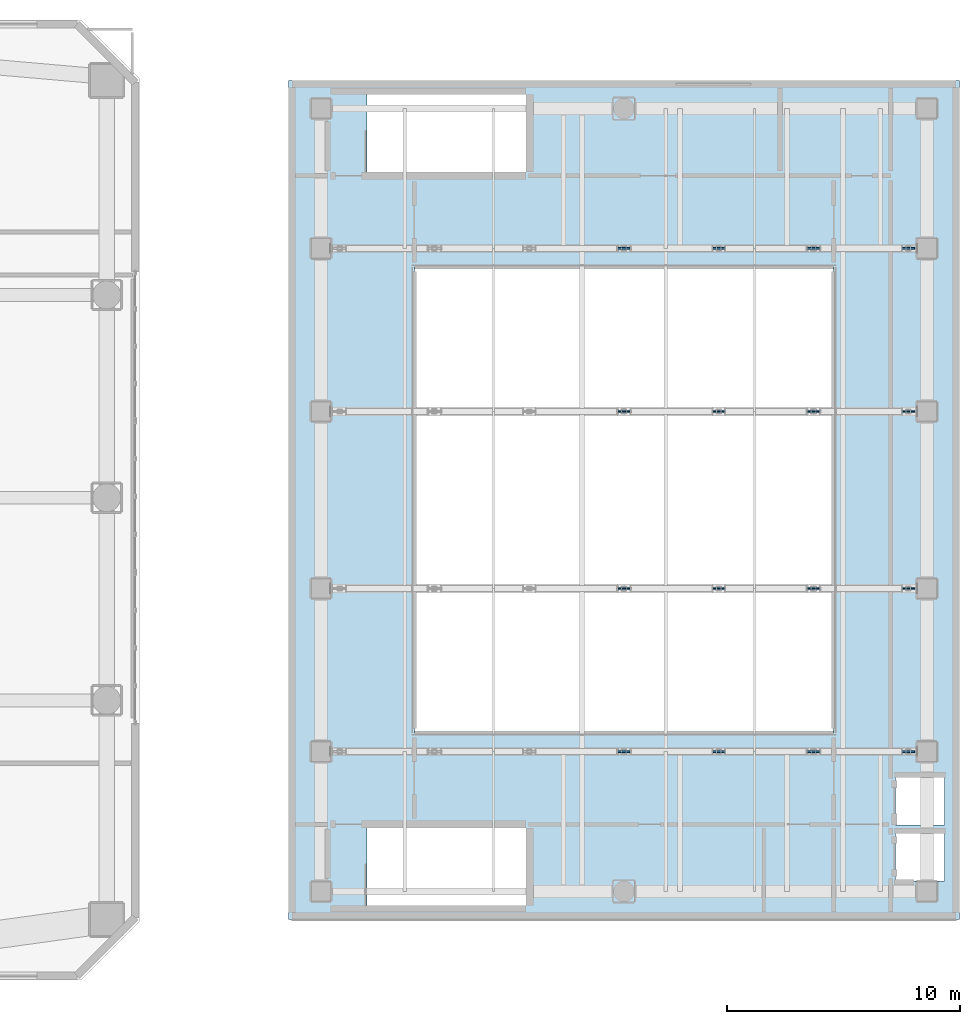
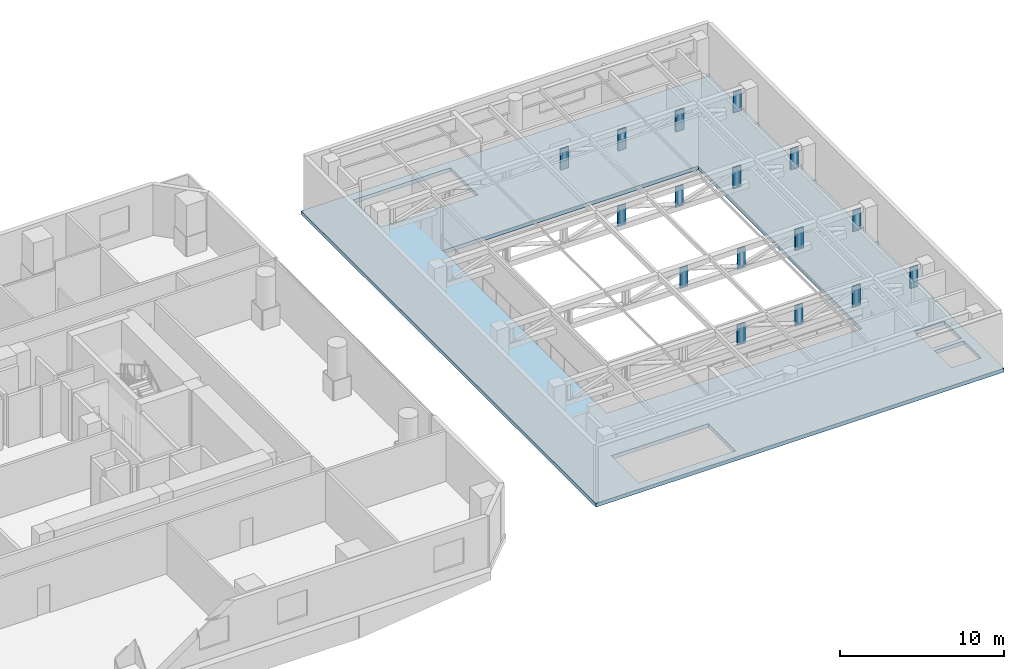
# One storey, part 15 of 25: 16 plates, 1 slab.
"""IFC4 building model written with IfcOpenShell, lengths in metres."""

from ifc_helpers import new_model, si_unit, direction, frame, origin, origin_2d, place, context, subcontext, project, spatial, polyline, rectangle, outline, extrude, material, layer, layer_set, type_object, element, save


model = new_model("IFC4")

# Units and contexts
model_context = context("Model", 3, precision=1e-05, world=origin(), true_north=direction((0.0, 1.0)))
body_context = subcontext(model_context, "Body", "Model", "MODEL_VIEW")
ifc_project = project(units=[si_unit("LENGTHUNIT", "METRE"), si_unit("AREAUNIT", "SQUARE_METRE"), si_unit("VOLUMEUNIT", "CUBIC_METRE"), si_unit("PLANEANGLEUNIT", "RADIAN"), si_unit("MASSUNIT", "GRAM", prefix="KILO")], contexts=[model_context])

# Site, building, storey
site_placement = place(None, origin())
site = spatial("IfcSite", under=ifc_project, at=site_placement, CompositionType="ELEMENT")
building_placement = place(site_placement, origin())
building = spatial("IfcBuilding", under=site, at=building_placement, Name="Solanera Arch Residences", CompositionType="ELEMENT")
storey_placement = place(building_placement, frame((0.0, 0.0, 17.800048828125)))
storey = spatial("IfcBuildingStorey", under=building, at=storey_placement, Name="L04", CompositionType="ELEMENT", Elevation=17.800048828125)

# Plates
ifc_material_1 = material(Name="Steel S355 (ASTM A992 / A572 Grade 50)", Category="steel")
ifc_layer_1 = layer(ifc_material_1, 0.080078125)
ifc_layer_set_1 = layer_set([ifc_layer_1], Name="Steel S355 (ASTM A992 / A572 Grade 50)")
plate_type = type_object("IfcPlateType", Name="Gusset Plate GP-80", PredefinedType="USERDEFINED", material=ifc_layer_set_1)
for number, where, z_axis, x_axis, name in (
    (1, (68.800048828125, 19.800048828125, 2.469970703125), (0.0, 0.0, 1.0), (1.0, 0.0, 0.0), "Sports Hall Truss 1 Node Gusset 3"),
    (2, (72.866943359375, 19.800048828125, 2.469970703125), (0.0, 0.0, 1.0), (1.0, 0.0, 0.0), "Sports Hall Truss 1 Node Gusset 4"),
    (3, (76.93310546875, 19.800048828125, 2.469970703125), (0.0, 0.0, 1.0), (1.0, 0.0, 0.0), "Sports Hall Truss 1 Node Gusset 5"),
    (4, (81.0, 19.800048828125, 2.469970703125), (0.0, 0.0, 1.0), (1.0, 0.0, 0.0), "Sports Hall Truss 1 Node Gusset 6"),
    (5, (68.800048828125, 26.800048828125, 2.469970703125), (0.0, 0.0, 1.0), (1.0, 0.0, 0.0), "Sports Hall Truss 2 Node Gusset 3"),
    (6, (72.866943359375, 26.800048828125, 2.469970703125), (0.0, 0.0, 1.0), (1.0, 0.0, 0.0), "Sports Hall Truss 2 Node Gusset 4"),
    (7, (76.93310546875, 26.800048828125, 2.469970703125), (0.0, 0.0, 1.0), (1.0, 0.0, 0.0), "Sports Hall Truss 2 Node Gusset 5"),
    (8, (81.0, 26.800048828125, 2.469970703125), (0.0, 0.0, 1.0), (1.0, 0.0, 0.0), "Sports Hall Truss 2 Node Gusset 6"),
    (9, (68.800048828125, 34.39990234375, 2.469970703125), (0.0, 0.0, 1.0), (1.0, 0.0, 0.0), "Sports Hall Truss 3 Node Gusset 3"),
    (10, (72.866943359375, 34.39990234375, 2.469970703125), (0.0, 0.0, 1.0), (1.0, 0.0, 0.0), "Sports Hall Truss 3 Node Gusset 4"),
    (11, (76.93310546875, 34.39990234375, 2.469970703125), (0.0, 0.0, 1.0), (1.0, 0.0, 0.0), "Sports Hall Truss 3 Node Gusset 5"),
    (12, (81.0, 34.39990234375, 2.469970703125), (0.0, 0.0, 1.0), (1.0, 0.0, 0.0), "Sports Hall Truss 3 Node Gusset 6"),
    (13, (68.800048828125, 41.39990234375, 2.469970703125), (0.0, 0.0, 1.0), (1.0, 0.0, 0.0), "Sports Hall Truss 4 Node Gusset 3"),
    (14, (72.866943359375, 41.39990234375, 2.469970703125), (0.0, 0.0, 1.0), (1.0, 0.0, 0.0), "Sports Hall Truss 4 Node Gusset 4"),
    (15, (76.93310546875, 41.39990234375, 2.469970703125), (0.0, 0.0, 1.0), (1.0, 0.0, 0.0), "Sports Hall Truss 4 Node Gusset 5"),
    (16, (81.0, 41.39990234375, 2.469970703125), (0.0, 0.0, 1.0), (1.0, 0.0, 0.0), "Sports Hall Truss 4 Node Gusset 6"),
):
    element("IfcPlate", number, at=place(storey_placement, frame(where, z_axis=z_axis, x_axis=x_axis)), inside=storey, type_object=plate_type, Name=name, ObjectType="GUSSET", PredefinedType="USERDEFINED", context=body_context, shape_type="SweptSolid", body=[
        extrude(rectangle(XDim=0.56005859375, YDim=0.080078125, at=origin_2d()), origin(), (0.0, 0.0, 1.0), 1.56005859375),
    ])

# Slab
ifc_material_2 = material(Name="Concrete C40/50 (f'c = 45 MPa)", Category="concrete")
ifc_layer_2 = layer(ifc_material_2, 0.280029296875)
ifc_layer_set_2 = layer_set([ifc_layer_2], Name="Concrete C40/50 (f'c = 45 MPa)")
slab_type = type_object("IfcSlabType", Name="Suspended Floor Slab Post-Tensioned 280", PredefinedType="FLOOR", material=ifc_layer_set_2)
slab_placement = place(storey_placement, frame((0.0, 0.0, -0.280029296875)))
element("IfcSlab", 17, at=slab_placement, inside=storey, type_object=slab_type, Name="L04 Civic Multi-Sports Hall Spectator Concourse Ring Slab", PredefinedType="FLOOR", context=body_context, shape_type="SweptSolid", body=[
    extrude(outline(polyline([(54.39990234375, 12.60009765625), (83.199951171875, 12.60009765625), (83.199951171875, 48.60009765625), (54.39990234375, 48.60009765625), (54.39990234375, 12.60009765625)]), holes=[polyline([(57.762939453125, 16.52001953125), (64.60009765625, 16.52001953125), (64.60009765625, 13.199951171875), (57.762939453125, 13.199951171875), (57.762939453125, 16.52001953125)]), polyline([(57.762939453125, 48.0), (64.60009765625, 48.0), (64.60009765625, 44.679931640625), (57.762939453125, 44.679931640625), (57.762939453125, 48.0)]), polyline([(80.449951171875, 16.35009765625), (82.550048828125, 16.35009765625), (82.550048828125, 14.25), (80.449951171875, 14.25), (80.449951171875, 16.35009765625)]), polyline([(80.449951171875, 18.75), (82.550048828125, 18.75), (82.550048828125, 16.64990234375), (80.449951171875, 16.64990234375), (80.449951171875, 18.75)]), polyline([(59.800048828125, 40.60009765625), (77.800048828125, 40.60009765625), (77.800048828125, 20.60009765625), (59.800048828125, 20.60009765625), (59.800048828125, 40.60009765625)])]), origin(), (0.0, 0.0, 1.0), 0.280029296875),
])

save(model, "model.ifc")
